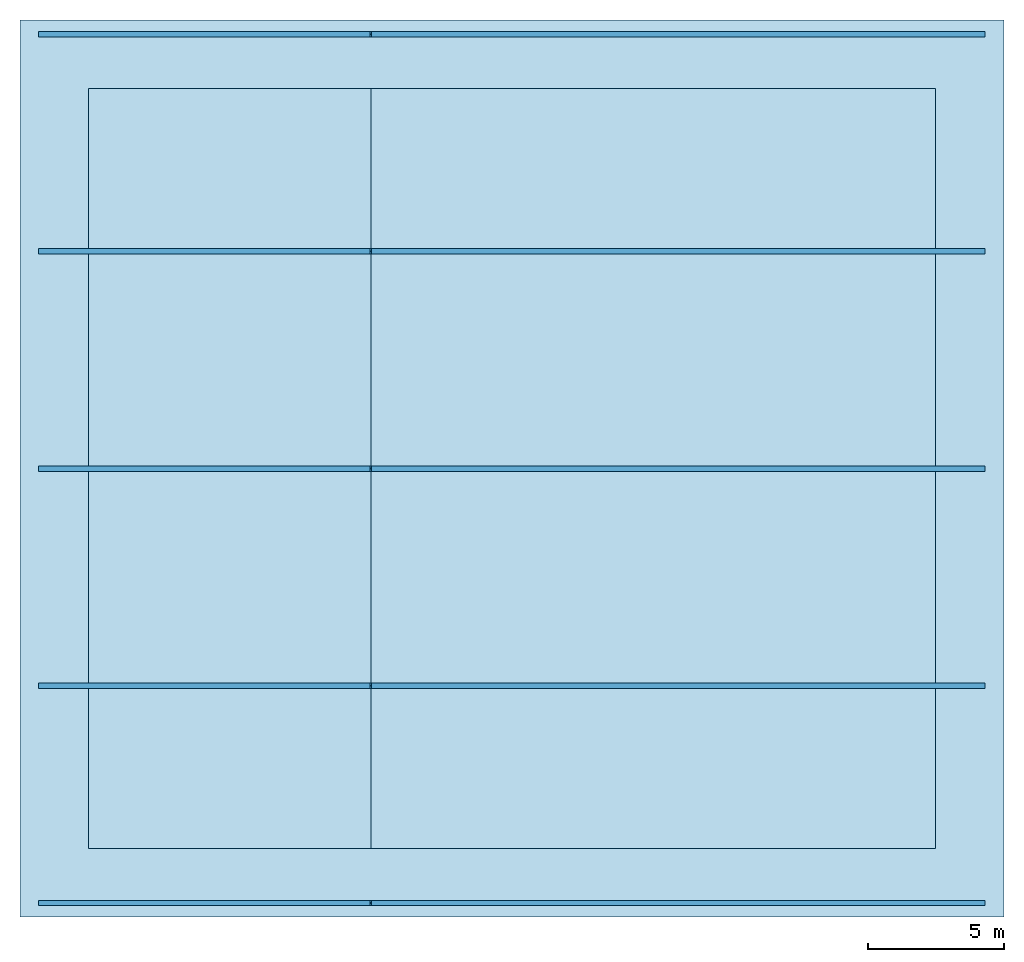
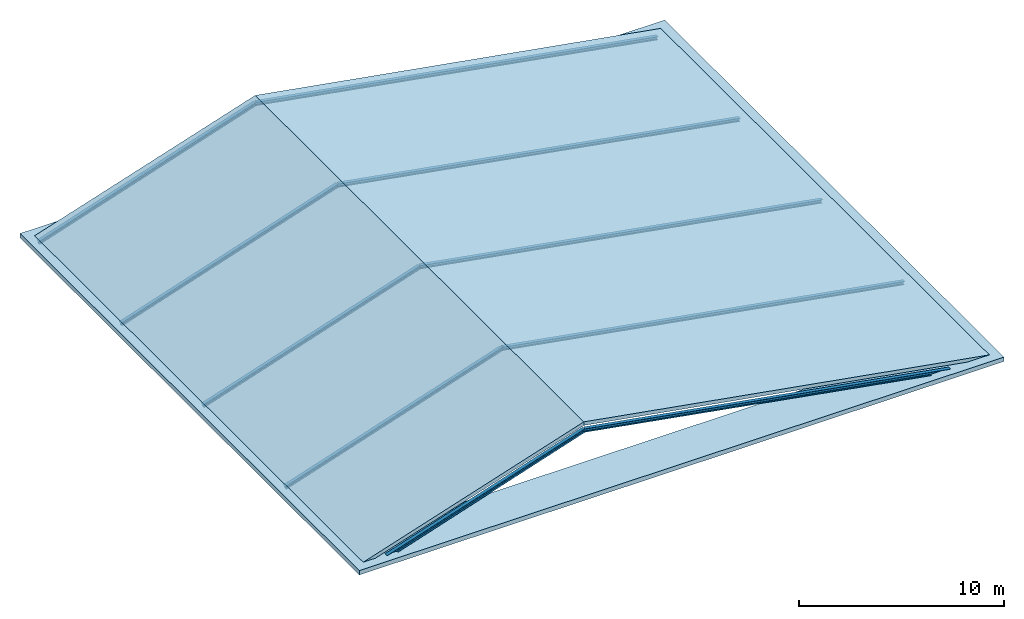
# One storey: 10 members, 3 slabs.
"""IFC4 building model written with IfcOpenShell, lengths in metres."""

from ifc_helpers import new_model, si_unit, direction, frame, origin, origin_2d, place, context, subcontext, project, spatial, polyline, i_section, outline, extrude, material, layer, layer_set, material_profile, profile_set, type_object, element, save


model = new_model("IFC4")

# Units and contexts
model_context = context("Model", 3, precision=1e-05, world=origin(), true_north=direction((0.0, 1.0)))
body_context = subcontext(model_context, "Body", "Model", "MODEL_VIEW")
ifc_project = project(units=[si_unit("LENGTHUNIT", "METRE"), si_unit("AREAUNIT", "SQUARE_METRE"), si_unit("VOLUMEUNIT", "CUBIC_METRE"), si_unit("PLANEANGLEUNIT", "RADIAN"), si_unit("MASSUNIT", "GRAM", prefix="KILO")], contexts=[model_context])

# Site, building, storey
site_placement = place(None, origin())
site = spatial("IfcSite", under=ifc_project, at=site_placement, CompositionType="ELEMENT")
building_placement = place(site_placement, origin())
building = spatial("IfcBuilding", under=site, at=building_placement, Name="Zhaolan Boulevard Law Courts", CompositionType="ELEMENT")
storey_placement = place(building_placement, frame((0.0, 0.0, 45.60009765625)))
storey = spatial("IfcBuildingStorey", under=building, at=storey_placement, Name="RF", CompositionType="ELEMENT", Elevation=45.60009765625)

# Members
ifc_material_1 = material(Name="Structural steel Q355B", Category="steel")
ifc_material_profile = material_profile(ifc_material_1, i_section(OverallWidth=0.199951171875, OverallDepth=0.199951171875, WebThickness=0.008056640625, FlangeThickness=0.011962890625, FilletRadius=0.012939453125, at=origin_2d()), Name="HW200x200")
ifc_profile_set = profile_set([ifc_material_profile], Name="Structural steel Q355B")
member_type = type_object("IfcMemberType", Name="RAFTER HW200", PredefinedType="RAFTER", material=ifc_profile_set)
member_1_placement = place(storey_placement, frame((0.199951171875, 38.0, -0.461181640625), z_axis=(0.950229171827, 0.0, 0.311551795065), x_axis=(0.0, 1.0, 0.0)))
element("IfcMember", 1, at=member_1_placement, inside=storey, type_object=member_type, Name="Crown Roof Rafter CRF-W", PredefinedType="RAFTER", context=body_context, shape_type="SweptSolid", body=[
    extrude(i_section(OverallWidth=0.199951171875, OverallDepth=0.199951171875, WebThickness=0.008056640625, FlangeThickness=0.011962890625, FilletRadius=0.012939453125, at=origin_2d()), origin(), (0.0, 0.0, 1.0), 12.8388671875),
])
member_2_placement = place(storey_placement, frame((35.0, 38.0, -0.461181640625), z_axis=(-0.984695836534, 0.0, 0.17428169586), x_axis=(0.0, -1.0, 0.0)))
element("IfcMember", 2, at=member_2_placement, inside=storey, type_object=member_type, Name="Crown Roof Rafter CRF-E", PredefinedType="RAFTER", context=body_context, shape_type="SweptSolid", body=[
    extrude(i_section(OverallWidth=0.199951171875, OverallDepth=0.199951171875, WebThickness=0.008056640625, FlangeThickness=0.011962890625, FilletRadius=0.012939453125, at=origin_2d()), origin(), (0.0, 0.0, 1.0), 22.951416015625),
])
member_3_placement = place(storey_placement, frame((0.199951171875, 46.0, -0.461181640625), z_axis=(0.950229171827, 0.0, 0.311551795065), x_axis=(0.0, 1.0, 0.0)))
element("IfcMember", 3, at=member_3_placement, inside=storey, type_object=member_type, Name="Crown Roof Rafter CRF-W", PredefinedType="RAFTER", context=body_context, shape_type="SweptSolid", body=[
    extrude(i_section(OverallWidth=0.199951171875, OverallDepth=0.199951171875, WebThickness=0.008056640625, FlangeThickness=0.011962890625, FilletRadius=0.012939453125, at=origin_2d()), origin(), (0.0, 0.0, 1.0), 12.8388671875),
])
member_4_placement = place(storey_placement, frame((35.0, 46.0, -0.461181640625), z_axis=(-0.984695836534, 0.0, 0.17428169586), x_axis=(0.0, -1.0, 0.0)))
element("IfcMember", 4, at=member_4_placement, inside=storey, type_object=member_type, Name="Crown Roof Rafter CRF-E", PredefinedType="RAFTER", context=body_context, shape_type="SweptSolid", body=[
    extrude(i_section(OverallWidth=0.199951171875, OverallDepth=0.199951171875, WebThickness=0.008056640625, FlangeThickness=0.011962890625, FilletRadius=0.012939453125, at=origin_2d()), origin(), (0.0, 0.0, 1.0), 22.951416015625),
])
member_5_placement = place(storey_placement, frame((0.199951171875, 54.0, -0.461181640625), z_axis=(0.950229171827, 0.0, 0.311551795065), x_axis=(0.0, 1.0, 0.0)))
element("IfcMember", 5, at=member_5_placement, inside=storey, type_object=member_type, Name="Crown Roof Rafter CRF-W", PredefinedType="RAFTER", context=body_context, shape_type="SweptSolid", body=[
    extrude(i_section(OverallWidth=0.199951171875, OverallDepth=0.199951171875, WebThickness=0.008056640625, FlangeThickness=0.011962890625, FilletRadius=0.012939453125, at=origin_2d()), origin(), (0.0, 0.0, 1.0), 12.8388671875),
])
member_6_placement = place(storey_placement, frame((35.0, 54.0, -0.461181640625), z_axis=(-0.984695836534, 0.0, 0.17428169586), x_axis=(0.0, -1.0, 0.0)))
element("IfcMember", 6, at=member_6_placement, inside=storey, type_object=member_type, Name="Crown Roof Rafter CRF-E", PredefinedType="RAFTER", context=body_context, shape_type="SweptSolid", body=[
    extrude(i_section(OverallWidth=0.199951171875, OverallDepth=0.199951171875, WebThickness=0.008056640625, FlangeThickness=0.011962890625, FilletRadius=0.012939453125, at=origin_2d()), origin(), (0.0, 0.0, 1.0), 22.951416015625),
])
member_7_placement = place(storey_placement, frame((0.199951171875, 62.0, -0.461181640625), z_axis=(0.950229171827, 0.0, 0.311551795065), x_axis=(0.0, 1.0, 0.0)))
element("IfcMember", 7, at=member_7_placement, inside=storey, type_object=member_type, Name="Crown Roof Rafter CRF-W", PredefinedType="RAFTER", context=body_context, shape_type="SweptSolid", body=[
    extrude(i_section(OverallWidth=0.199951171875, OverallDepth=0.199951171875, WebThickness=0.008056640625, FlangeThickness=0.011962890625, FilletRadius=0.012939453125, at=origin_2d()), origin(), (0.0, 0.0, 1.0), 12.8388671875),
])
member_8_placement = place(storey_placement, frame((35.0, 62.0, -0.461181640625), z_axis=(-0.984695836534, 0.0, 0.17428169586), x_axis=(0.0, -1.0, 0.0)))
element("IfcMember", 8, at=member_8_placement, inside=storey, type_object=member_type, Name="Crown Roof Rafter CRF-E", PredefinedType="RAFTER", context=body_context, shape_type="SweptSolid", body=[
    extrude(i_section(OverallWidth=0.199951171875, OverallDepth=0.199951171875, WebThickness=0.008056640625, FlangeThickness=0.011962890625, FilletRadius=0.012939453125, at=origin_2d()), origin(), (0.0, 0.0, 1.0), 22.951416015625),
])
member_9_placement = place(storey_placement, frame((0.199951171875, 70.0, -0.461181640625), z_axis=(0.950229171827, 0.0, 0.311551795065), x_axis=(0.0, 1.0, 0.0)))
element("IfcMember", 9, at=member_9_placement, inside=storey, type_object=member_type, Name="Crown Roof Rafter CRF-W", PredefinedType="RAFTER", context=body_context, shape_type="SweptSolid", body=[
    extrude(i_section(OverallWidth=0.199951171875, OverallDepth=0.199951171875, WebThickness=0.008056640625, FlangeThickness=0.011962890625, FilletRadius=0.012939453125, at=origin_2d()), origin(), (0.0, 0.0, 1.0), 12.8388671875),
])
member_10_placement = place(storey_placement, frame((35.0, 70.0, -0.461181640625), z_axis=(-0.984695836534, 0.0, 0.17428169586), x_axis=(0.0, -1.0, 0.0)))
element("IfcMember", 10, at=member_10_placement, inside=storey, type_object=member_type, Name="Crown Roof Rafter CRF-E", PredefinedType="RAFTER", context=body_context, shape_type="SweptSolid", body=[
    extrude(i_section(OverallWidth=0.199951171875, OverallDepth=0.199951171875, WebThickness=0.008056640625, FlangeThickness=0.011962890625, FilletRadius=0.012939453125, at=origin_2d()), origin(), (0.0, 0.0, 1.0), 22.951416015625),
])

# Slabs
ifc_material_2 = material(Name="Concrete C40", Category="concrete")
ifc_layer_1 = layer(ifc_material_2, 0.2099609375)
ifc_layer_set_1 = layer_set([ifc_layer_1])
slab_type_1 = type_object("IfcSlabType", Name="CROWN ROOF SLAB 210", PredefinedType="ROOF", material=ifc_layer_set_1)
slab_1_placement = place(storey_placement, frame((0.0, 70.0, 0.0), z_axis=(0.0, -1.0, 0.0), x_axis=(1.0, 0.0, 0.0)))
element("IfcSlab", 11, at=slab_1_placement, inside=storey, type_object=slab_type_1, Name="West Wing Crown Roof West Pitch", PredefinedType="ROOF", context=body_context, shape_type="SweptSolid", body=[
    extrude(outline(polyline([(0.0, 0.0), (12.39990234375, 4.0), (12.39990234375, 3.779296875), (0.0, -0.220703125), (0.0, 0.0)])), origin(), (0.0, 0.0, 1.0), 32.0),
])
slab_2_placement = place(storey_placement, frame((12.39990234375, 70.0, 0.0), z_axis=(0.0, -1.0, 0.0), x_axis=(1.0, 0.0, 0.0)))
element("IfcSlab", 12, at=slab_2_placement, inside=storey, type_object=slab_type_1, Name="West Wing Crown Roof East Pitch", PredefinedType="ROOF", context=body_context, shape_type="SweptSolid", body=[
    extrude(outline(polyline([(0.0, 4.0), (22.800048828125, 0.0), (22.800048828125, -0.213134765625), (0.0, 3.786865234375), (0.0, 4.0)])), origin(), (0.0, 0.0, 1.0), 32.0),
])
ifc_material_3 = material(Name="Concrete C40", Category="concrete")
ifc_layer_2 = layer(ifc_material_3, 0.260009765625)
ifc_layer_set_2 = layer_set([ifc_layer_2])
slab_type_2 = type_object("IfcSlabType", Name="FLAT ROOF SLAB 260", PredefinedType="ROOF", material=ifc_layer_set_2)
slab_3_placement = place(storey_placement, frame((0.0, 0.0, -0.260009765625)))
element("IfcSlab", 13, at=slab_3_placement, inside=storey, type_object=slab_type_2, Name="Slab SLB-RF-CRN", PredefinedType="ROOF", context=body_context, shape_type="SweptSolid", body=[
    extrude(outline(polyline([(-0.52001953125, 37.47998046875), (35.719970703125, 37.47998046875), (35.719970703125, 70.52001953125), (-0.52001953125, 70.52001953125), (-0.52001953125, 37.47998046875)]), holes=[polyline([(2.0, 40.0), (33.199951171875, 40.0), (33.199951171875, 68.0), (2.0, 68.0), (2.0, 40.0)])]), origin(), (0.0, 0.0, 1.0), 0.260009765625),
])

save(model, "model.ifc")
